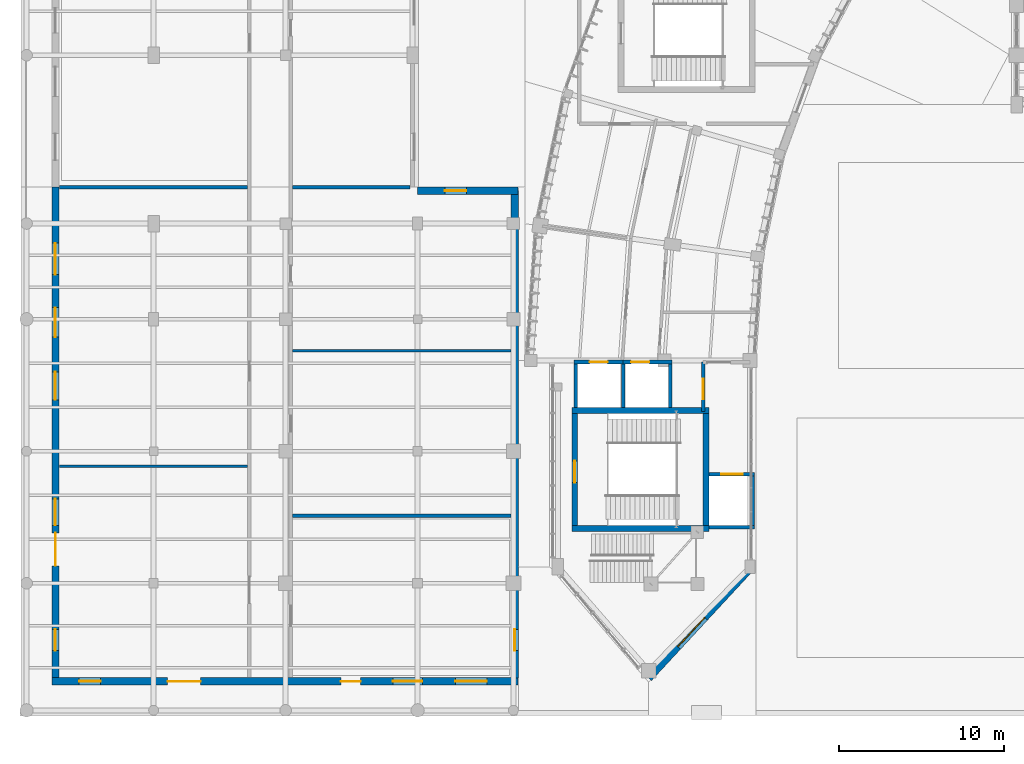
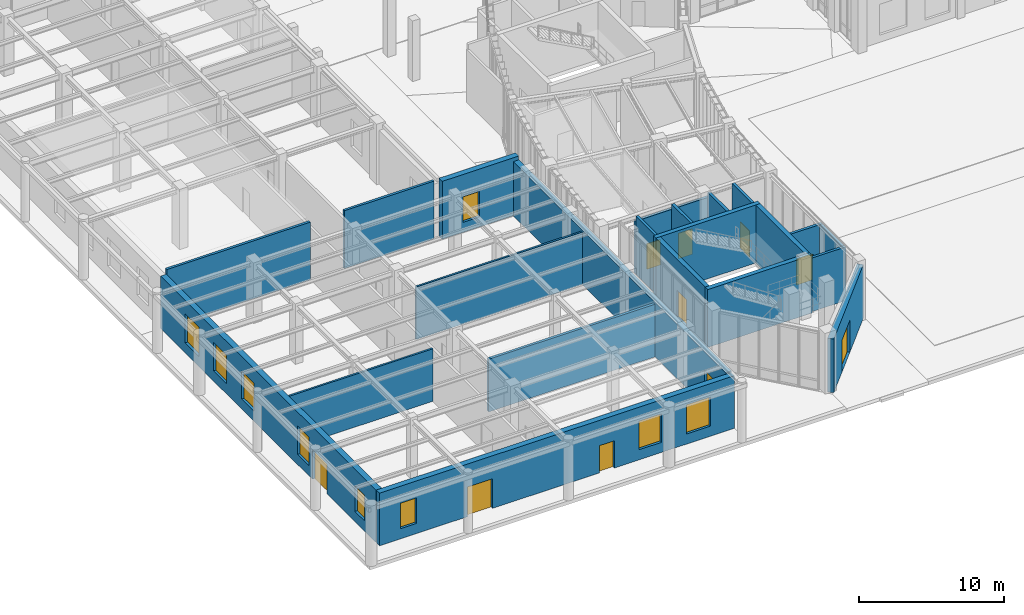
# One storey, part 36 of 68: 23 walls, 10 windows, 9 doors, 19 openings.
"""IFC4 building model written with IfcOpenShell, lengths in metres."""

import ifcopenshell
import ifcopenshell.guid

model = None  # the IFC model being written
_history = None  # IfcOwnerHistory: only IFC2X3 demands one
_inside = {}  # id of a spatial element -> (the spatial element, [elements in it])
_under = {}  # id of a project, library or spatial element -> (it, [spatial elements below it])
_declared = {}  # id of a project -> (the project, [libraries it declares])
_typed = {}  # id of a type object -> (the type object, [elements of that type])
_made_of = {}  # id of a material, layer set ... -> (it, [elements and type objects made of it])


def new_model(schema):
    """Start an empty IFC model of exactly this schema.

    Asked for "IFC4X3", IfcOpenShell would pick the latest addendum, in which some entities
    have other attributes; the version numbers below select the first issue.
    IFC2X3 requires an IfcOwnerHistory on every rooted entity: one is made here for all.
    """
    global model, _history
    if schema == "IFC4X3":
        model = ifcopenshell.file(schema_version=(4, 3, 0, 0))
    else:
        model = ifcopenshell.file(schema=schema)
    _inside.clear()
    _under.clear()
    _declared.clear()
    _typed.clear()
    _made_of.clear()
    _history = None
    if model.schema == "IFC2X3":
        org = make("IfcOrganization", Name="unknown")
        user = make(
            "IfcPersonAndOrganization",
            ThePerson=make("IfcPerson", FamilyName="unknown"),
            TheOrganization=org,
        )
        app = make(
            "IfcApplication",
            ApplicationDeveloper=org,
            Version="unknown",
            ApplicationFullName="unknown",
            ApplicationIdentifier="unknown",
        )
        _history = make(
            "IfcOwnerHistory",
            OwningUser=user,
            OwningApplication=app,
            ChangeAction="ADDED",
            CreationDate=0,
        )
    return model


def make(cls, **values):
    """One entity of the class cls with the attributes given. An attribute that is None is left unset."""
    return model.create_entity(
        cls, **{name: value for name, value in values.items() if value is not None}
    )


def rooted(cls, **values):
    """An entity with a GlobalId (a new one), such as an element, a storey or a relation."""
    return make(cls, GlobalId=ifcopenshell.guid.new(), OwnerHistory=_history, **values)


def si_unit(unit_type, name, prefix=None):
    """IfcSIUnit, for example si_unit("LENGTHUNIT", "METRE", prefix="MILLI")."""
    return make("IfcSIUnit", UnitType=unit_type, Prefix=prefix, Name=name)


def assignment(units):
    """IfcUnitAssignment: the units of a project."""
    return None if units is None else make("IfcUnitAssignment", Units=units)


def point(xyz):
    """IfcCartesianPoint."""
    return None if xyz is None else make("IfcCartesianPoint", Coordinates=xyz)


def direction(xyz):
    """IfcDirection."""
    return None if xyz is None else make("IfcDirection", DirectionRatios=xyz)


def frame(location, z_axis=None, x_axis=None):
    """IfcAxis2Placement3D, a coordinate frame: its origin and axes. An axis left out is left unset."""
    return make(
        "IfcAxis2Placement3D",
        Location=point(location),
        Axis=direction(z_axis),
        RefDirection=direction(x_axis),
    )


def frame_2d(location, x_axis=None):
    """IfcAxis2Placement2D, a coordinate frame in the plane: its origin and x axis."""
    return make(
        "IfcAxis2Placement2D", Location=point(location), RefDirection=direction(x_axis)
    )


def origin():
    """The frame at (0, 0, 0) with its axes left unset."""
    return frame((0.0, 0.0, 0.0))


def place(relative_to, where):
    """IfcLocalPlacement: puts the frame where relative to a parent placement (None: the world)."""
    return make(
        "IfcLocalPlacement", PlacementRelTo=relative_to, RelativePlacement=where
    )


def context(
    kind, dimensions, precision=None, world=None, true_north=None, identifier=None
):
    """IfcGeometricRepresentationContext, for example the 3D "Model" context."""
    return make(
        "IfcGeometricRepresentationContext",
        ContextIdentifier=identifier,
        ContextType=kind,
        CoordinateSpaceDimension=dimensions,
        Precision=precision,
        WorldCoordinateSystem=world,
        TrueNorth=true_north,
    )


def subcontext(parent, identifier, kind, view, scale=None):
    """IfcGeometricRepresentationSubContext, for example "Body" below "Model"."""
    return make(
        "IfcGeometricRepresentationSubContext",
        ContextIdentifier=identifier,
        ContextType=kind,
        ParentContext=parent,
        TargetScale=scale,
        TargetView=view,
    )


def project(units=None, contexts=None):
    """IfcProject with its units and contexts."""
    return rooted(
        "IfcProject",
        Name="project",
        RepresentationContexts=contexts,
        UnitsInContext=assignment(units),
    )


def spatial(cls, under=None, at=None, **own):
    """A site, building, storey or space (cls), placed at a placement, below another one or the project."""
    s = rooted(cls, ObjectPlacement=at, **own)
    if under is not None:
        _under.setdefault(under.id(), (under, []))[1].append(s)
    return s


def profile(cls, at=None, kind="AREA", **sizes):
    """A parametric profile (cls). Its sizes go by their IFC names, for example OverallWidth=200.0."""
    return make(cls, ProfileType=kind, Position=at, **sizes)


def rectangle(**sizes):
    """IfcRectangleProfileDef."""
    return profile("IfcRectangleProfileDef", **sizes)


def extrude(swept, where, along, depth):
    """IfcExtrudedAreaSolid: the profile swept, set in the frame where, extruded along a direction by depth."""
    return make(
        "IfcExtrudedAreaSolid",
        SweptArea=swept,
        Position=where,
        ExtrudedDirection=direction(along),
        Depth=depth,
    )


def shape(context_of_items, identifier, shape_type, items):
    """IfcShapeRepresentation: the items that make up one representation, for example the "Body"."""
    return make(
        "IfcShapeRepresentation",
        ContextOfItems=context_of_items,
        RepresentationIdentifier=identifier,
        RepresentationType=shape_type,
        Items=items,
    )


def material(Name=None, Category=None):
    """IfcMaterial."""
    return make("IfcMaterial", Name=Name, Category=Category)


def layer(
    of_material, thickness, ventilated=None, Name=None, Category=None, Priority=None
):
    """IfcMaterialLayer: one layer of a wall or slab, of a material (None: an air gap)."""
    return make(
        "IfcMaterialLayer",
        Material=of_material,
        LayerThickness=thickness,
        IsVentilated=ventilated,
        Name=Name,
        Category=Category,
        Priority=Priority,
    )


def layer_set(layers, Name=None):
    """IfcMaterialLayerSet."""
    return make("IfcMaterialLayerSet", MaterialLayers=layers, LayerSetName=Name)


def made_of(thing, what):
    """Note that an element or type object is made of a material, layer set ...; save() writes the relation."""
    if what is not None:
        _made_of.setdefault(what.id(), (what, []))[1].append(thing)
    return thing


def type_object(cls, material=None, **own):
    """A type object (cls), such as IfcWallType, which elements share."""
    return made_of(rooted(cls, **own), material)


def element(
    cls,
    number,
    at=None,
    inside=None,
    cuts=None,
    type_object=None,
    material=None,
    context=None,
    identifier="Body",
    shape_type=None,
    held_by="IfcProductDefinitionShape",
    body=None,
    shapes=None,
    **own,
):
    """One element of the class cls, such as IfcWall. Its Tag is "e" and its number.

    at: its placement. inside: the storey or other place that contains it. cuts: it is an
    opening in that element (IfcRelVoidsElement). A single representation is given by context,
    identifier, shape_type and body (its items); several are given by shapes. held_by: the class
    of the entity that holds the representations. save() writes the other relations.
    """
    e = rooted(cls, Tag="e%d" % number, ObjectPlacement=at, **own)
    if body is not None:
        shapes = [shape(context, identifier, shape_type, body)]
    if shapes is not None:
        e.Representation = make(held_by, Representations=shapes)
    if inside is not None:
        _inside.setdefault(inside.id(), (inside, []))[1].append(e)
    if cuts is not None:
        rooted(
            "IfcRelVoidsElement", RelatingBuildingElement=cuts, RelatedOpeningElement=e
        )
    if type_object is not None:
        _typed.setdefault(type_object.id(), (type_object, []))[1].append(e)
    return made_of(e, material)


def fill(opening, filler):
    """IfcRelFillsElement: the door or window that sits in an opening."""
    return rooted(
        "IfcRelFillsElement",
        RelatingOpeningElement=opening,
        RelatedBuildingElement=filler,
    )


def aggregate(whole, parts):
    """IfcRelAggregates: a whole, such as a stair, and the parts it consists of."""
    return rooted("IfcRelAggregates", RelatingObject=whole, RelatedObjects=parts)


def save(model, path):
    """Write the relations noted so far, then the file.

    IfcRelAggregates (storeys below a building ...), IfcRelContainedInSpatialStructure (elements
    in a storey), IfcRelDefinesByType, IfcRelAssociatesMaterial and IfcRelDeclares: one each for
    every whole, place, type object, material and project.
    """
    for whole, parts in _under.values():
        aggregate(whole, parts)
    for where, things in _inside.values():
        rooted(
            "IfcRelContainedInSpatialStructure",
            RelatedElements=things,
            RelatingStructure=where,
        )
    for kind, things in _typed.values():
        rooted("IfcRelDefinesByType", RelatedObjects=things, RelatingType=kind)
    for what, things in _made_of.values():
        rooted("IfcRelAssociatesMaterial", RelatedObjects=things, RelatingMaterial=what)
    for by, libraries in _declared.values():
        rooted("IfcRelDeclares", RelatingContext=by, RelatedDefinitions=libraries)
    model.write(path)


model = new_model("IFC4")

# Units and contexts
model_context = context("Model", 3, precision=1e-05, world=origin(), true_north=direction((0.0, 1.0)))
body_context = subcontext(model_context, "Body", "Model", "MODEL_VIEW")
ifc_project = project(units=[si_unit("LENGTHUNIT", "METRE"), si_unit("AREAUNIT", "SQUARE_METRE"), si_unit("VOLUMEUNIT", "CUBIC_METRE"), si_unit("PLANEANGLEUNIT", "RADIAN"), si_unit("MASSUNIT", "GRAM", prefix="KILO"), si_unit("THERMODYNAMICTEMPERATUREUNIT", "KELVIN"), si_unit("POWERUNIT", "WATT")], contexts=[model_context])

# Site, building, storey
site_placement = place(None, origin())
site = spatial("IfcSite", under=ifc_project, at=site_placement, CompositionType="ELEMENT")
building_placement = place(site_placement, origin())
building = spatial("IfcBuilding", under=site, at=building_placement, Name="Solvatero Civic Police Headquarters", CompositionType="ELEMENT")
storey_placement = place(building_placement, origin())
storey = spatial("IfcBuildingStorey", under=building, at=storey_placement, Name="L00", CompositionType="ELEMENT", Elevation=0.0)

# Wall, openings, doors, windows
ifc_material_1 = material(Name="Grey Sandstone Ashlar", Category="masonry")
ifc_layer_1 = layer(ifc_material_1, 0.449951171875)
ifc_layer_set_1 = layer_set([ifc_layer_1], Name="Grey Sandstone Ashlar")
wall_type_1 = type_object("IfcWallType", Name="WL-EXT-SAND-450", PredefinedType="SOLIDWALL", material=ifc_layer_set_1)
wall_1_placement = place(storey_placement, frame((6.340087890625, 6.550048828125, 0.0), z_axis=(0.0, 0.0, 1.0), x_axis=(1.0, 0.0, 0.0)))
wall_1 = element("IfcWall", 1, at=wall_1_placement, inside=storey, type_object=wall_type_1, Name="Exterior Wall WLE-L00-V4-S", PredefinedType="SOLIDWALL", context=body_context, shape_type="SweptSolid", body=[
    extrude(rectangle(XDim=28.25, YDim=0.449951171875, at=frame_2d((14.125, 0.0))), origin(), (0.0, 0.0, 1.0), 4.427978515625),
])
opening_1_placement = place(wall_1_placement, frame((9.0, 0.0, 0.0), z_axis=(0.0, 0.0, 1.0), x_axis=(-1.0, 0.0, 0.0)))
opening_1 = element("IfcOpeningElement", 2, at=opening_1_placement, cuts=wall_1, Name="Opening ED-05", PredefinedType="OPENING", context=body_context, shape_type="SweptSolid", body=[
    extrude(rectangle(XDim=2.0, YDim=2.5, at=frame_2d((1.0, 1.25))), frame((0.0, 0.23486328125, 0.0), z_axis=(0.0, -1.0, 0.0), x_axis=(1.0, 0.0, 0.0)), (0.0, 0.0, 1.0), 0.469970703125),
])
opening_2_placement = place(wall_1_placement, frame((18.699951171875, 0.0, 0.0), z_axis=(0.0, 0.0, 1.0), x_axis=(-1.0, 0.0, 0.0)))
opening_2 = element("IfcOpeningElement", 3, at=opening_2_placement, cuts=wall_1, Name="Opening ED-03", PredefinedType="OPENING", context=body_context, shape_type="SweptSolid", body=[
    extrude(rectangle(XDim=1.199951171875, YDim=2.300048828125, at=frame_2d((0.60009765625, 1.14990234375))), frame((0.0, 0.23486328125, 0.0), z_axis=(0.0, -1.0, 0.0), x_axis=(1.0, 0.0, 0.0)), (0.0, 0.0, 1.0), 0.469970703125),
])
opening_3_placement = place(wall_1_placement, frame((1.64990234375, 0.0, 0.85009765625)))
opening_3 = element("IfcOpeningElement", 4, at=opening_3_placement, cuts=wall_1, Name="Opening W-13", PredefinedType="OPENING", context=body_context, shape_type="SweptSolid", body=[
    extrude(rectangle(XDim=1.300048828125, YDim=2.14990234375, at=frame_2d((0.64990234375, 1.074951171875))), frame((0.0, 0.23486328125, 0.0), z_axis=(0.0, -1.0, 0.0), x_axis=(1.0, 0.0, 0.0)), (0.0, 0.0, 1.0), 0.469970703125),
])
opening_4_placement = place(wall_1_placement, frame((20.64990234375, 0.0, 0.85009765625)))
opening_4 = element("IfcOpeningElement", 5, at=opening_4_placement, cuts=wall_1, Name="Opening W-05", PredefinedType="OPENING", context=body_context, shape_type="SweptSolid", body=[
    extrude(rectangle(XDim=1.800048828125, YDim=2.39990234375, at=frame_2d((0.89990234375, 1.199951171875))), frame((0.0, 0.23486328125, 0.0), z_axis=(0.0, -1.0, 0.0), x_axis=(1.0, 0.0, 0.0)), (0.0, 0.0, 1.0), 0.469970703125),
])
opening_5_placement = place(wall_1_placement, frame((24.449951171875, 0.0, 0.85009765625)))
opening_5 = element("IfcOpeningElement", 6, at=opening_5_placement, cuts=wall_1, Name="Opening W-15", PredefinedType="OPENING", context=body_context, shape_type="SweptSolid", body=[
    extrude(rectangle(XDim=1.89990234375, YDim=2.449951171875, at=frame_2d((0.949951171875, 1.22509765625))), frame((0.0, 0.23486328125, 0.0), z_axis=(0.0, -1.0, 0.0), x_axis=(1.0, 0.0, 0.0)), (0.0, 0.0, 1.0), 0.469970703125),
])
ifc_material_2 = material(Name="Anodized Bronze Aluminium and Laminated Glass", Category="aluminium")
door_type_1 = type_object("IfcDoorType", Name="DR-EXT-120x230", OperationType="NOTDEFINED", PredefinedType="DOOR", material=ifc_material_2)
door_1_placement = place(opening_2_placement, origin())
door_1 = element("IfcDoor", 7, at=door_1_placement, inside=storey, type_object=door_type_1, Name="Exterior Door DR-L00-V4-FIRECMD", OperationType="SINGLE_SWING_RIGHT", OverallHeight=2.300048828125, OverallWidth=1.199951171875, PredefinedType="DOOR", context=body_context, shape_type="SweptSolid", body=[
    extrude(rectangle(XDim=1.199951171875, YDim=2.300048828125, at=frame_2d((0.60009765625, 1.14990234375))), frame((0.0, 0.02490234375, 0.0), z_axis=(0.0, -1.0, 0.0), x_axis=(1.0, 0.0, 0.0)), (0.0, 0.0, 1.0), 0.050048828125),
])
fill(opening_2, door_1)
door_type_2 = type_object("IfcDoorType", Name="DR-EXT-200x250", OperationType="DOUBLE_DOOR_SINGLE_SWING", PredefinedType="DOOR", material=ifc_material_2)
door_2_placement = place(opening_1_placement, origin())
door_2 = element("IfcDoor", 8, at=door_2_placement, inside=storey, type_object=door_type_2, Name="Exterior Door DR-L00-V4-ENT1", OperationType="DOUBLE_DOOR_SINGLE_SWING", OverallHeight=2.5, OverallWidth=2.0, PredefinedType="DOOR", context=body_context, shape_type="SweptSolid", body=[
    extrude(rectangle(XDim=2.0, YDim=2.5, at=frame_2d((1.0, 1.25))), frame((0.0, 0.02490234375, 0.0), z_axis=(0.0, -1.0, 0.0), x_axis=(1.0, 0.0, 0.0)), (0.0, 0.0, 1.0), 0.050048828125),
])
fill(opening_1, door_2)
ifc_material_3 = material(Name="Anodized Bronze Aluminium", Category="aluminium")
window_type_1 = type_object("IfcWindowType", Name="WN-CL-130x215", PartitioningType="SINGLE_PANEL", PredefinedType="WINDOW", material=ifc_material_3)
window_1_placement = place(opening_3_placement, origin())
window_1 = element("IfcWindow", 9, at=window_1_placement, inside=storey, type_object=window_type_1, Name="Exterior Window 0001", OverallHeight=2.14990234375, OverallWidth=1.300048828125, PartitioningType="SINGLE_PANEL", PredefinedType="WINDOW", context=body_context, shape_type="SweptSolid", body=[
    extrude(rectangle(XDim=1.300048828125, YDim=2.14990234375, at=frame_2d((0.64990234375, 1.074951171875))), frame((0.0, 0.030029296875, 0.0), z_axis=(0.0, -1.0, 0.0), x_axis=(1.0, 0.0, 0.0)), (0.0, 0.0, 1.0), 0.06005859375),
])
fill(opening_3, window_1)
window_type_2 = type_object("IfcWindowType", Name="WN-CL-180x240", PartitioningType="SINGLE_PANEL", PredefinedType="WINDOW", material=ifc_material_3)
window_2_placement = place(opening_4_placement, origin())
window_2 = element("IfcWindow", 10, at=window_2_placement, inside=storey, type_object=window_type_2, Name="Exterior Window 0002", OverallHeight=2.39990234375, OverallWidth=1.800048828125, PartitioningType="SINGLE_PANEL", PredefinedType="WINDOW", context=body_context, shape_type="SweptSolid", body=[
    extrude(rectangle(XDim=1.800048828125, YDim=2.39990234375, at=frame_2d((0.89990234375, 1.199951171875))), frame((0.0, 0.030029296875, 0.0), z_axis=(0.0, -1.0, 0.0), x_axis=(1.0, 0.0, 0.0)), (0.0, 0.0, 1.0), 0.06005859375),
])
fill(opening_4, window_2)
window_type_3 = type_object("IfcWindowType", Name="WN-CL-190x245", PartitioningType="SINGLE_PANEL", PredefinedType="WINDOW", material=ifc_material_3)
window_3_placement = place(opening_5_placement, origin())
window_3 = element("IfcWindow", 11, at=window_3_placement, inside=storey, type_object=window_type_3, Name="Exterior Window 0003", OverallHeight=2.449951171875, OverallWidth=1.89990234375, PartitioningType="SINGLE_PANEL", PredefinedType="WINDOW", context=body_context, shape_type="SweptSolid", body=[
    extrude(rectangle(XDim=1.89990234375, YDim=2.449951171875, at=frame_2d((0.949951171875, 1.22509765625))), frame((0.0, 0.030029296875, 0.0), z_axis=(0.0, -1.0, 0.0), x_axis=(1.0, 0.0, 0.0)), (0.0, 0.0, 1.0), 0.06005859375),
])
fill(opening_5, window_3)

# Wall, openings, door, windows
wall_2_placement = place(storey_placement, frame((6.550048828125, 6.760009765625, 0.0), z_axis=(0.0, 0.0, 1.0), x_axis=(0.0, 1.0, 0.0)))
wall_2 = element("IfcWall", 12, at=wall_2_placement, inside=storey, type_object=wall_type_1, Name="Exterior Wall WLE-L00-V4-W", PredefinedType="SOLIDWALL", context=body_context, shape_type="SweptSolid", body=[
    extrude(rectangle(XDim=29.739990234375, YDim=0.449951171875, at=frame_2d((14.8701171875, 0.0))), origin(), (0.0, 0.0, 1.0), 4.41796875),
])
opening_6_placement = place(wall_2_placement, frame((6.800048828125, 0.0, 0.0)))
opening_6 = element("IfcOpeningElement", 13, at=opening_6_placement, cuts=wall_2, Name="Opening ED-05", PredefinedType="OPENING", context=body_context, shape_type="SweptSolid", body=[
    extrude(rectangle(XDim=2.0, YDim=2.5, at=frame_2d((1.0, 1.25))), frame((0.0, 0.23486328125, 0.0), z_axis=(0.0, -1.0, 0.0), x_axis=(1.0, 0.0, 0.0)), (0.0, 0.0, 1.0), 0.469970703125),
])
opening_7_placement = place(wall_2_placement, frame((1.64990234375, 0.0, 0.85009765625)))
opening_7 = element("IfcOpeningElement", 14, at=opening_7_placement, cuts=wall_2, Name="Opening W-13", PredefinedType="OPENING", context=body_context, shape_type="SweptSolid", body=[
    extrude(rectangle(XDim=1.300048828125, YDim=2.14990234375, at=frame_2d((0.64990234375, 1.074951171875))), frame((0.0, 0.23486328125, 0.0), z_axis=(0.0, -1.0, 0.0), x_axis=(1.0, 0.0, 0.0)), (0.0, 0.0, 1.0), 0.469970703125),
])
opening_8_placement = place(wall_2_placement, frame((9.25, 0.0, 0.85009765625)))
opening_8 = element("IfcOpeningElement", 15, at=opening_8_placement, cuts=wall_2, Name="Opening W-04", PredefinedType="OPENING", context=body_context, shape_type="SweptSolid", body=[
    extrude(rectangle(XDim=1.60009765625, YDim=2.39990234375, at=frame_2d((0.800048828125, 1.199951171875))), frame((0.0, 0.23486328125, 0.0), z_axis=(0.0, -1.0, 0.0), x_axis=(1.0, 0.0, 0.0)), (0.0, 0.0, 1.0), 0.469970703125),
])
opening_9_placement = place(wall_2_placement, frame((16.85009765625, 0.0, 0.85009765625)))
opening_9 = element("IfcOpeningElement", 16, at=opening_9_placement, cuts=wall_2, Name="Opening W-14", PredefinedType="OPENING", context=body_context, shape_type="SweptSolid", body=[
    extrude(rectangle(XDim=1.699951171875, YDim=2.35009765625, at=frame_2d((0.85009765625, 1.175048828125))), frame((0.0, 0.23486328125, 0.0), z_axis=(0.0, -1.0, 0.0), x_axis=(1.0, 0.0, 0.0)), (0.0, 0.0, 1.0), 0.469970703125),
])
opening_10_placement = place(wall_2_placement, frame((20.64990234375, 0.0, 0.85009765625)))
opening_10 = element("IfcOpeningElement", 17, at=opening_10_placement, cuts=wall_2, Name="Opening W-05", PredefinedType="OPENING", context=body_context, shape_type="SweptSolid", body=[
    extrude(rectangle(XDim=1.800048828125, YDim=2.39990234375, at=frame_2d((0.89990234375, 1.199951171875))), frame((0.0, 0.23486328125, 0.0), z_axis=(0.0, -1.0, 0.0), x_axis=(1.0, 0.0, 0.0)), (0.0, 0.0, 1.0), 0.469970703125),
])
opening_11_placement = place(wall_2_placement, frame((24.449951171875, 0.0, 0.85009765625)))
opening_11 = element("IfcOpeningElement", 18, at=opening_11_placement, cuts=wall_2, Name="Opening W-15", PredefinedType="OPENING", context=body_context, shape_type="SweptSolid", body=[
    extrude(rectangle(XDim=1.89990234375, YDim=2.449951171875, at=frame_2d((0.949951171875, 1.22509765625))), frame((0.0, 0.23486328125, 0.0), z_axis=(0.0, -1.0, 0.0), x_axis=(1.0, 0.0, 0.0)), (0.0, 0.0, 1.0), 0.469970703125),
])
door_3_placement = place(opening_6_placement, origin())
door_3 = element("IfcDoor", 19, at=door_3_placement, inside=storey, type_object=door_type_2, Name="Exterior Door DR-L00-V4-ENTW", OperationType="DOUBLE_DOOR_SINGLE_SWING", OverallHeight=2.5, OverallWidth=2.0, PredefinedType="DOOR", context=body_context, shape_type="SweptSolid", body=[
    extrude(rectangle(XDim=2.0, YDim=2.5, at=frame_2d((1.0, 1.25))), frame((0.0, 0.02490234375, 0.0), z_axis=(0.0, -1.0, 0.0), x_axis=(1.0, 0.0, 0.0)), (0.0, 0.0, 1.0), 0.050048828125),
])
fill(opening_6, door_3)
window_4_placement = place(opening_7_placement, origin())
window_4 = element("IfcWindow", 20, at=window_4_placement, inside=storey, type_object=window_type_1, Name="Exterior Window 0004", OverallHeight=2.14990234375, OverallWidth=1.300048828125, PartitioningType="SINGLE_PANEL", PredefinedType="WINDOW", context=body_context, shape_type="SweptSolid", body=[
    extrude(rectangle(XDim=1.300048828125, YDim=2.14990234375, at=frame_2d((0.64990234375, 1.074951171875))), frame((0.0, 0.030029296875, 0.0), z_axis=(0.0, -1.0, 0.0), x_axis=(1.0, 0.0, 0.0)), (0.0, 0.0, 1.0), 0.06005859375),
])
fill(opening_7, window_4)
window_type_4 = type_object("IfcWindowType", Name="WN-CL-160x240", PartitioningType="SINGLE_PANEL", PredefinedType="WINDOW", material=ifc_material_3)
window_5_placement = place(opening_8_placement, origin())
window_5 = element("IfcWindow", 21, at=window_5_placement, inside=storey, type_object=window_type_4, Name="Exterior Window 0005", OverallHeight=2.39990234375, OverallWidth=1.60009765625, PartitioningType="SINGLE_PANEL", PredefinedType="WINDOW", context=body_context, shape_type="SweptSolid", body=[
    extrude(rectangle(XDim=1.60009765625, YDim=2.39990234375, at=frame_2d((0.800048828125, 1.199951171875))), frame((0.0, 0.030029296875, 0.0), z_axis=(0.0, -1.0, 0.0), x_axis=(1.0, 0.0, 0.0)), (0.0, 0.0, 1.0), 0.06005859375),
])
fill(opening_8, window_5)
window_type_5 = type_object("IfcWindowType", Name="WN-CL-170x235", PartitioningType="SINGLE_PANEL", PredefinedType="WINDOW", material=ifc_material_3)
window_6_placement = place(opening_9_placement, origin())
window_6 = element("IfcWindow", 22, at=window_6_placement, inside=storey, type_object=window_type_5, Name="Exterior Window 0006", OverallHeight=2.35009765625, OverallWidth=1.699951171875, PartitioningType="SINGLE_PANEL", PredefinedType="WINDOW", context=body_context, shape_type="SweptSolid", body=[
    extrude(rectangle(XDim=1.699951171875, YDim=2.35009765625, at=frame_2d((0.85009765625, 1.175048828125))), frame((0.0, 0.030029296875, 0.0), z_axis=(0.0, -1.0, 0.0), x_axis=(1.0, 0.0, 0.0)), (0.0, 0.0, 1.0), 0.06005859375),
])
fill(opening_9, window_6)
window_7_placement = place(opening_10_placement, origin())
window_7 = element("IfcWindow", 23, at=window_7_placement, inside=storey, type_object=window_type_2, Name="Exterior Window 0007", OverallHeight=2.39990234375, OverallWidth=1.800048828125, PartitioningType="SINGLE_PANEL", PredefinedType="WINDOW", context=body_context, shape_type="SweptSolid", body=[
    extrude(rectangle(XDim=1.800048828125, YDim=2.39990234375, at=frame_2d((0.89990234375, 1.199951171875))), frame((0.0, 0.030029296875, 0.0), z_axis=(0.0, -1.0, 0.0), x_axis=(1.0, 0.0, 0.0)), (0.0, 0.0, 1.0), 0.06005859375),
])
fill(opening_10, window_7)
window_8_placement = place(opening_11_placement, origin())
window_8 = element("IfcWindow", 24, at=window_8_placement, inside=storey, type_object=window_type_3, Name="Exterior Window 0008", OverallHeight=2.449951171875, OverallWidth=1.89990234375, PartitioningType="SINGLE_PANEL", PredefinedType="WINDOW", context=body_context, shape_type="SweptSolid", body=[
    extrude(rectangle(XDim=1.89990234375, YDim=2.449951171875, at=frame_2d((0.949951171875, 1.22509765625))), frame((0.0, 0.030029296875, 0.0), z_axis=(0.0, -1.0, 0.0), x_axis=(1.0, 0.0, 0.0)), (0.0, 0.0, 1.0), 0.06005859375),
])
fill(opening_11, window_8)

# Wall, opening, window
wall_3_placement = place(storey_placement, frame((34.3798828125, 6.760009765625, 0.0), z_axis=(0.0, 0.0, 1.0), x_axis=(0.0, 1.0, 0.0)))
wall_3 = element("IfcWall", 25, at=wall_3_placement, inside=storey, type_object=wall_type_1, Name="Exterior Wall WLE-L00-V4-E", PredefinedType="SOLIDWALL", context=body_context, shape_type="SweptSolid", body=[
    extrude(rectangle(XDim=29.530029296875, YDim=0.449951171875, at=frame_2d((14.76513671875, 0.0))), origin(), (0.0, 0.0, 1.0), 4.56005859375),
])
opening_12_placement = place(wall_3_placement, frame((1.64990234375, 0.0, 0.85009765625)))
opening_12 = element("IfcOpeningElement", 26, at=opening_12_placement, cuts=wall_3, Name="Opening W-13", PredefinedType="OPENING", context=body_context, shape_type="SweptSolid", body=[
    extrude(rectangle(XDim=1.300048828125, YDim=2.14990234375, at=frame_2d((0.64990234375, 1.074951171875))), frame((0.0, 0.23486328125, 0.0), z_axis=(0.0, -1.0, 0.0), x_axis=(1.0, 0.0, 0.0)), (0.0, 0.0, 1.0), 0.469970703125),
])
window_9_placement = place(opening_12_placement, origin())
window_9 = element("IfcWindow", 27, at=window_9_placement, inside=storey, type_object=window_type_1, Name="Exterior Window 0009", OverallHeight=2.14990234375, OverallWidth=1.300048828125, PartitioningType="SINGLE_PANEL", PredefinedType="WINDOW", context=body_context, shape_type="SweptSolid", body=[
    extrude(rectangle(XDim=1.300048828125, YDim=2.14990234375, at=frame_2d((0.64990234375, 1.074951171875))), frame((0.0, 0.030029296875, 0.0), z_axis=(0.0, -1.0, 0.0), x_axis=(1.0, 0.0, 0.0)), (0.0, 0.0, 1.0), 0.06005859375),
])
fill(opening_12, window_9)

wall_4_placement = place(storey_placement, frame((28.5, 36.2900390625, 0.0), z_axis=(0.0, 0.0, 1.0), x_axis=(1.0, 0.0, 0.0)))
wall_4 = element("IfcWall", 28, at=wall_4_placement, inside=storey, type_object=wall_type_1, Name="Exterior Wall WLE-L00-V4-N", PredefinedType="SOLIDWALL", context=body_context, shape_type="SweptSolid", body=[
    extrude(rectangle(XDim=6.090087890625, YDim=0.449951171875, at=frame_2d((3.044921875, 0.0))), origin(), (0.0, 0.0, 1.0), 4.8798828125),
])
opening_13_placement = place(wall_4_placement, frame((1.64990234375, 0.0, 0.85009765625)))
opening_13 = element("IfcOpeningElement", 29, at=opening_13_placement, cuts=wall_4, Name="Opening W-13", PredefinedType="OPENING", context=body_context, shape_type="SweptSolid", body=[
    extrude(rectangle(XDim=1.300048828125, YDim=2.14990234375, at=frame_2d((0.64990234375, 1.074951171875))), frame((0.0, 0.23486328125, 0.0), z_axis=(0.0, -1.0, 0.0), x_axis=(1.0, 0.0, 0.0)), (0.0, 0.0, 1.0), 0.469970703125),
])
window_10_placement = place(opening_13_placement, origin())
window_10 = element("IfcWindow", 30, at=window_10_placement, inside=storey, type_object=window_type_1, Name="Exterior Window 0010", OverallHeight=2.14990234375, OverallWidth=1.300048828125, PartitioningType="SINGLE_PANEL", PredefinedType="WINDOW", context=body_context, shape_type="SweptSolid", body=[
    extrude(rectangle(XDim=1.300048828125, YDim=2.14990234375, at=frame_2d((0.64990234375, 1.074951171875))), frame((0.0, 0.030029296875, 0.0), z_axis=(0.0, -1.0, 0.0), x_axis=(1.0, 0.0, 0.0)), (0.0, 0.0, 1.0), 0.06005859375),
])
fill(opening_13, window_10)

# Wall, opening, door
wall_5_placement = place(storey_placement, frame((42.5, 6.75, 0.0), z_axis=(0.0, 0.0, 1.0), x_axis=(0.679408031498, 0.733760674018, 0.0)))
wall_5 = element("IfcWall", 31, at=wall_5_placement, inside=storey, type_object=wall_type_1, Name="Exterior Wall WLE-L00-PROW-SE", PredefinedType="SOLIDWALL", context=body_context, shape_type="SweptSolid", body=[
    extrude(rectangle(XDim=9.19921875, YDim=0.449951171875, at=frame_2d((4.599609375, 0.0))), origin(), (0.0, 0.0, 1.0), 4.52001953125),
])
opening_14_placement = place(wall_5_placement, frame((5.0, 0.0, 0.0), z_axis=(0.0, 0.0, 1.0), x_axis=(-1.0, 0.0, 0.0)))
opening_14 = element("IfcOpeningElement", 32, at=opening_14_placement, cuts=wall_5, Name="Opening ED-06", PredefinedType="OPENING", context=body_context, shape_type="SweptSolid", body=[
    extrude(rectangle(XDim=2.39990234375, YDim=2.699951171875, at=frame_2d((1.199951171875, 1.35009765625))), frame((0.0, 0.23486328125, 0.0), z_axis=(0.0, -1.0, 0.0), x_axis=(1.0, 0.0, 0.0)), (0.0, 0.0, 1.0), 0.469970703125),
])
door_type_3 = type_object("IfcDoorType", Name="DR-EXT-240x270", OperationType="DOUBLE_DOOR_SINGLE_SWING", PredefinedType="DOOR", material=ifc_material_2)
door_4_placement = place(opening_14_placement, origin())
door_4 = element("IfcDoor", 33, at=door_4_placement, inside=storey, type_object=door_type_3, Name="Exterior Door DR-L00-PROW-SE", OperationType="DOUBLE_DOOR_SINGLE_SWING", OverallHeight=2.699951171875, OverallWidth=2.39990234375, PredefinedType="DOOR", context=body_context, shape_type="SweptSolid", body=[
    extrude(rectangle(XDim=2.39990234375, YDim=2.699951171875, at=frame_2d((1.199951171875, 1.35009765625))), frame((0.0, 0.02490234375, 0.0), z_axis=(0.0, -1.0, 0.0), x_axis=(1.0, 0.0, 0.0)), (0.0, 0.0, 1.0), 0.050048828125),
])
fill(opening_14, door_4)

# Walls
ifc_material_4 = material(Name="Gypsum Acoustic Stud", Category="gypsum")
ifc_layer_2 = layer(ifc_material_4, 0.14990234375)
ifc_layer_set_2 = layer_set([ifc_layer_2], Name="Gypsum Acoustic Stud")
wall_type_2 = type_object("IfcWallType", Name="WL-PTN-150", PredefinedType="PARTITIONING", material=ifc_layer_set_2)
wall_6_placement = place(storey_placement, frame((6.780029296875, 19.60009765625, 0.0), z_axis=(0.0, 0.0, 1.0), x_axis=(1.0, 0.0, 0.0)))
element("IfcWall", 34, at=wall_6_placement, inside=storey, type_object=wall_type_2, Name="Interior Partition WLP-L00-V4-H1", PredefinedType="PARTITIONING", context=body_context, shape_type="SweptSolid", body=[
    extrude(rectangle(XDim=11.419921875, YDim=0.14990234375, at=frame_2d((5.7099609375, 0.0))), origin(), (0.0, 0.0, 1.0), 4.427978515625),
])
wall_7_placement = place(storey_placement, frame((20.89990234375, 26.60009765625, 0.0), z_axis=(0.0, 0.0, 1.0), x_axis=(1.0, 0.0, 0.0)))
element("IfcWall", 35, at=wall_7_placement, inside=storey, type_object=wall_type_2, Name="Interior Partition WLP-L00-V4-H3", PredefinedType="PARTITIONING", context=body_context, shape_type="SweptSolid", body=[
    extrude(rectangle(XDim=13.25, YDim=0.14990234375, at=frame_2d((6.625, 0.0))), origin(), (0.0, 0.0, 1.0), 4.427978515625),
])

# Wall, opening, door
ifc_material_5 = material(Name="Concrete Blockwork", Category="masonry")
ifc_layer_3 = layer(ifc_material_5, 0.199951171875)
ifc_layer_set_3 = layer_set([ifc_layer_3], Name="Concrete Blockwork")
wall_type_3 = type_object("IfcWallType", Name="WL-PTN-200", PredefinedType="PARTITIONING", material=ifc_layer_set_3)
wall_8_placement = place(storey_placement, frame((45.800048828125, 22.89990234375, 0.0), z_axis=(0.0, 0.0, 1.0), x_axis=(0.0, 1.0, 0.0)))
wall_8 = element("IfcWall", 36, at=wall_8_placement, inside=storey, type_object=wall_type_3, Name="Interior Partition WLP-FFL-C1-L00-W", PredefinedType="PARTITIONING", context=body_context, shape_type="SweptSolid", body=[
    extrude(rectangle(XDim=3.0, YDim=0.199951171875, at=frame_2d((1.5, 0.0))), origin(), (0.0, 0.0, 1.0), 4.860107421875),
])
opening_15_placement = place(wall_8_placement, frame((0.75, 0.0, 0.0)))
opening_15 = element("IfcOpeningElement", 37, at=opening_15_placement, cuts=wall_8, Name="Opening FD-01", PredefinedType="OPENING", context=body_context, shape_type="SweptSolid", body=[
    extrude(rectangle(XDim=1.25, YDim=2.199951171875, at=frame_2d((0.625, 1.10009765625))), frame((0.0, 0.10986328125, 0.0), z_axis=(0.0, -1.0, 0.0), x_axis=(1.0, 0.0, 0.0)), (0.0, 0.0, 1.0), 0.219970703125),
])
ifc_material_6 = material(Name="Powder-Coated Steel", Category="steel")
door_type_4 = type_object("IfcDoorType", Name="DR-STR-125x220", OperationType="NOTDEFINED", PredefinedType="DOOR", material=ifc_material_6)
door_5_placement = place(opening_15_placement, origin())
door_5 = element("IfcDoor", 38, at=door_5_placement, inside=storey, type_object=door_type_4, Name="Interior Door DR-FFL-C1-L00-W", OperationType="SINGLE_SWING_LEFT", OverallHeight=2.199951171875, OverallWidth=1.25, PredefinedType="DOOR", context=body_context, shape_type="SweptSolid", body=[
    extrude(rectangle(XDim=1.25, YDim=2.199951171875, at=frame_2d((0.625, 1.10009765625))), frame((0.0, 0.02490234375, 0.0), z_axis=(0.0, -1.0, 0.0), x_axis=(1.0, 0.0, 0.0)), (0.0, 0.0, 1.0), 0.050048828125),
])
fill(opening_15, door_5)

# Walls
wall_9_placement = place(storey_placement, frame((20.89990234375, 16.60009765625, 0.0), z_axis=(0.0, 0.0, 1.0), x_axis=(1.0, 0.0, 0.0)))
element("IfcWall", 39, at=wall_9_placement, inside=storey, type_object=wall_type_3, Name="Interior Partition WLP-L00-FCMD-N", PredefinedType="PARTITIONING", context=body_context, shape_type="SweptSolid", body=[
    extrude(rectangle(XDim=13.25, YDim=0.199951171875, at=frame_2d((6.625, 0.0))), origin(), (0.0, 0.0, 1.0), 4.427978515625),
])
wall_10_placement = place(storey_placement, frame((6.780029296875, 36.5, 0.0), z_axis=(0.0, 0.0, 1.0), x_axis=(1.0, 0.0, 0.0)))
element("IfcWall", 40, at=wall_10_placement, inside=storey, type_object=wall_type_3, Name="Interior Partition WLP-L00-V46-DIVW", PredefinedType="PARTITIONING", context=body_context, shape_type="SweptSolid", body=[
    extrude(rectangle(XDim=11.419921875, YDim=0.199951171875, at=frame_2d((5.7099609375, 0.0))), origin(), (0.0, 0.0, 1.0), 4.860107421875),
])
wall_11_placement = place(storey_placement, frame((20.89990234375, 36.5, 0.0), z_axis=(0.0, 0.0, 1.0), x_axis=(1.0, 0.0, 0.0)))
element("IfcWall", 41, at=wall_11_placement, inside=storey, type_object=wall_type_3, Name="Interior Partition WLP-L00-V46-DIVE", PredefinedType="PARTITIONING", context=body_context, shape_type="SweptSolid", body=[
    extrude(rectangle(XDim=7.150146484375, YDim=0.199951171875, at=frame_2d((3.5751953125, 0.0))), origin(), (0.0, 0.0, 1.0), 4.860107421875),
])
ifc_material_7 = material(Name="Concrete C35/45", Category="concrete")
ifc_layer_4 = layer(ifc_material_7, 0.219970703125)
ifc_layer_set_4 = layer_set([ifc_layer_4], Name="Concrete C35/45")
wall_type_4 = type_object("IfcWallType", Name="WL-SHF-220", PredefinedType="PARTITIONING", material=ifc_layer_set_4)
wall_12_placement = place(storey_placement, frame((46.159912109375, 15.889892578125, 0.0), z_axis=(0.0, 0.0, 1.0), x_axis=(1.0, 0.0, 0.0)))
element("IfcWall", 42, at=wall_12_placement, inside=storey, type_object=wall_type_4, Name="Lift Shaft Wall WLS-FL-01-L00-S", PredefinedType="PARTITIONING", context=body_context, shape_type="SweptSolid", body=[
    extrude(rectangle(XDim=2.760009765625, YDim=0.219970703125, at=frame_2d((1.3798828125, 0.0))), origin(), (0.0, 0.0, 1.0), 4.51806640625),
])

# Wall, opening, door
wall_13_placement = place(storey_placement, frame((46.159912109375, 19.110107421875, 0.0), z_axis=(0.0, 0.0, 1.0), x_axis=(1.0, 0.0, 0.0)))
wall_13 = element("IfcWall", 43, at=wall_13_placement, inside=storey, type_object=wall_type_4, Name="Lift Shaft Wall WLS-FL-01-L00-N", PredefinedType="PARTITIONING", context=body_context, shape_type="SweptSolid", body=[
    extrude(rectangle(XDim=2.760009765625, YDim=0.219970703125, at=frame_2d((1.3798828125, 0.0))), origin(), (0.0, 0.0, 1.0), 4.51806640625),
])
opening_16_placement = place(wall_13_placement, frame((0.72998046875, 0.0, 0.0)))
opening_16 = element("IfcOpeningElement", 44, at=opening_16_placement, cuts=wall_13, Name="Opening LD-02", PredefinedType="OPENING", context=body_context, shape_type="SweptSolid", body=[
    extrude(rectangle(XDim=1.300048828125, YDim=2.199951171875, at=frame_2d((0.64990234375, 1.10009765625))), frame((0.0, 0.119873046875, 0.0), z_axis=(0.0, -1.0, 0.0), x_axis=(1.0, 0.0, 0.0)), (0.0, 0.0, 1.0), 0.239990234375),
])
ifc_material_8 = material(Name="Stainless Steel Grade 316", Category="steel")
door_type_5 = type_object("IfcDoorType", Name="DR-LFT-130x220", OperationType="DOUBLE_DOOR_SLIDING", PredefinedType="DOOR", material=ifc_material_8)
door_6_placement = place(opening_16_placement, origin())
door_6 = element("IfcDoor", 45, at=door_6_placement, inside=storey, type_object=door_type_5, Name="Interior Door DR-LFT-FL-01-L00", OperationType="DOUBLE_DOOR_SLIDING", OverallHeight=2.199951171875, OverallWidth=1.300048828125, PredefinedType="DOOR", context=body_context, shape_type="SweptSolid", body=[
    extrude(rectangle(XDim=1.300048828125, YDim=2.199951171875, at=frame_2d((0.64990234375, 1.10009765625))), frame((0.0, 0.02490234375, 0.0), z_axis=(0.0, -1.0, 0.0), x_axis=(1.0, 0.0, 0.0)), (0.0, 0.0, 1.0), 0.050048828125),
])
fill(opening_16, door_6)

# Wall
wall_14_placement = place(storey_placement, frame((48.81005859375, 16.0, 0.0), z_axis=(0.0, 0.0, 1.0), x_axis=(0.0, 1.0, 0.0)))
element("IfcWall", 46, at=wall_14_placement, inside=storey, type_object=wall_type_4, Name="Lift Shaft Wall WLS-FL-01-L00-E", PredefinedType="PARTITIONING", context=body_context, shape_type="SweptSolid", body=[
    extrude(rectangle(XDim=3.0, YDim=0.219970703125, at=frame_2d((1.5, 0.0))), origin(), (0.0, 0.0, 1.0), 4.52001953125),
])

# Wall, opening, door
wall_15_placement = place(storey_placement, frame((37.97998046875, 25.909912109375, 0.0), z_axis=(0.0, 0.0, 1.0), x_axis=(1.0, 0.0, 0.0)))
wall_15 = element("IfcWall", 47, at=wall_15_placement, inside=storey, type_object=wall_type_4, Name="Lift Shaft Wall WLS-LP-01-L00-N", PredefinedType="PARTITIONING", context=body_context, shape_type="SweptSolid", body=[
    extrude(rectangle(XDim=2.969970703125, YDim=0.219970703125, at=frame_2d((1.48486328125, 0.0))), origin(), (0.0, 0.0, 1.0), 4.429931640625),
])
opening_17_placement = place(wall_15_placement, frame((0.93505859375, 0.0, 0.0)))
opening_17 = element("IfcOpeningElement", 48, at=opening_17_placement, cuts=wall_15, Name="Opening LD-01", PredefinedType="OPENING", context=body_context, shape_type="SweptSolid", body=[
    extrude(rectangle(XDim=1.10009765625, YDim=2.14990234375, at=frame_2d((0.550048828125, 1.074951171875))), frame((0.0, 0.119873046875, 0.0), z_axis=(0.0, -1.0, 0.0), x_axis=(1.0, 0.0, 0.0)), (0.0, 0.0, 1.0), 0.239990234375),
])
door_type_6 = type_object("IfcDoorType", Name="DR-LFT-110x215", OperationType="DOUBLE_DOOR_SLIDING", PredefinedType="DOOR", material=ifc_material_8)
door_7_placement = place(opening_17_placement, origin())
door_7 = element("IfcDoor", 49, at=door_7_placement, inside=storey, type_object=door_type_6, Name="Interior Door DR-LFT-LP-01-L00", OperationType="DOUBLE_DOOR_SLIDING", OverallHeight=2.14990234375, OverallWidth=1.10009765625, PredefinedType="DOOR", context=body_context, shape_type="SweptSolid", body=[
    extrude(rectangle(XDim=1.10009765625, YDim=2.14990234375, at=frame_2d((0.550048828125, 1.074951171875))), frame((0.0, 0.02490234375, 0.0), z_axis=(0.0, -1.0, 0.0), x_axis=(1.0, 0.0, 0.0)), (0.0, 0.0, 1.0), 0.050048828125),
])
fill(opening_17, door_7)

# Walls
for number, where, z_axis, x_axis, name in (
    (50, (38.090087890625, 23.159912109375, 0.0), (0.0, 0.0, 1.0), (0.0, 1.0, 0.0), "Lift Shaft Wall WLS-LP-01-L00-W"),
    (51, (40.949951171875, 23.159912109375, 0.0), (0.0, 0.0, 1.0), (0.0, 1.0, 0.0), "Lift Shaft Wall WLS-LP-01-L00-E"),
):
    element("IfcWall", number, at=place(storey_placement, frame(where, z_axis=z_axis, x_axis=x_axis)), inside=storey, type_object=wall_type_4, Name=name, PredefinedType="PARTITIONING", context=body_context, shape_type="SweptSolid", body=[
        extrude(rectangle(XDim=2.64013671875, YDim=0.219970703125, at=frame_2d((1.320068359375, 0.0))), origin(), (0.0, 0.0, 1.0), 4.860107421875),
    ])

# Wall, opening, door
wall_16_placement = place(storey_placement, frame((40.949951171875, 25.909912109375, 0.0), z_axis=(0.0, 0.0, 1.0), x_axis=(1.0, 0.0, 0.0)))
wall_16 = element("IfcWall", 52, at=wall_16_placement, inside=storey, type_object=wall_type_4, Name="Lift Shaft Wall WLS-LP-02-L00-N", PredefinedType="PARTITIONING", context=body_context, shape_type="SweptSolid", body=[
    extrude(rectangle(XDim=2.969970703125, YDim=0.219970703125, at=frame_2d((1.48486328125, 0.0))), origin(), (0.0, 0.0, 1.0), 4.429931640625),
])
opening_18_placement = place(wall_16_placement, frame((0.485107421875, 0.0, 0.0)))
opening_18 = element("IfcOpeningElement", 53, at=opening_18_placement, cuts=wall_16, Name="Opening LD-01", PredefinedType="OPENING", context=body_context, shape_type="SweptSolid", body=[
    extrude(rectangle(XDim=1.10009765625, YDim=2.14990234375, at=frame_2d((0.550048828125, 1.074951171875))), frame((0.0, 0.119873046875, 0.0), z_axis=(0.0, -1.0, 0.0), x_axis=(1.0, 0.0, 0.0)), (0.0, 0.0, 1.0), 0.239990234375),
])
door_8_placement = place(opening_18_placement, origin())
door_8 = element("IfcDoor", 54, at=door_8_placement, inside=storey, type_object=door_type_6, Name="Interior Door DR-LFT-LP-02-L00", OperationType="DOUBLE_DOOR_SLIDING", OverallHeight=2.14990234375, OverallWidth=1.10009765625, PredefinedType="DOOR", context=body_context, shape_type="SweptSolid", body=[
    extrude(rectangle(XDim=1.10009765625, YDim=2.14990234375, at=frame_2d((0.550048828125, 1.074951171875))), frame((0.0, 0.02490234375, 0.0), z_axis=(0.0, -1.0, 0.0), x_axis=(1.0, 0.0, 0.0)), (0.0, 0.0, 1.0), 0.050048828125),
])
fill(opening_18, door_8)

# Walls
wall_17_placement = place(storey_placement, frame((43.81005859375, 23.159912109375, 0.0), z_axis=(0.0, 0.0, 1.0), x_axis=(0.0, 1.0, 0.0)))
element("IfcWall", 55, at=wall_17_placement, inside=storey, type_object=wall_type_4, Name="Lift Shaft Wall WLS-LP-02-L00-E", PredefinedType="PARTITIONING", context=body_context, shape_type="SweptSolid", body=[
    extrude(rectangle(XDim=2.64013671875, YDim=0.219970703125, at=frame_2d((1.320068359375, 0.0))), origin(), (0.0, 0.0, 1.0), 4.860107421875),
])
ifc_material_9 = material(Name="Concrete C40/50", Category="concrete")
ifc_layer_5 = layer(ifc_material_9, 0.35009765625)
ifc_layer_set_5 = layer_set([ifc_layer_5], Name="Concrete C40/50")
wall_type_5 = type_object("IfcWallType", Name="WL-SHR-350", PredefinedType="SHEAR", material=ifc_layer_set_5)
for number, where, z_axis, x_axis, name in (
    (56, (37.85009765625, 15.824951171875, 0.0), (0.0, 0.0, 1.0), (1.0, 0.0, 0.0), "Core C1 Shear Wall S L00"),
    (57, (37.85009765625, 22.97509765625, 0.0), (0.0, 0.0, 1.0), (1.0, 0.0, 0.0), "Core C1 Shear Wall N L00"),
):
    element("IfcWall", number, at=place(storey_placement, frame(where, z_axis=z_axis, x_axis=x_axis)), inside=storey, type_object=wall_type_5, Name=name, PredefinedType="SHEAR", context=body_context, shape_type="SweptSolid", body=[
        extrude(rectangle(XDim=8.2998046875, YDim=0.35009765625, at=frame_2d((4.14990234375, 0.0))), origin(), (0.0, 0.0, 1.0), 4.8798828125),
    ])

# Wall, opening, door
wall_18_placement = place(storey_placement, frame((38.02490234375, 16.0, 0.0), z_axis=(0.0, 0.0, 1.0), x_axis=(0.0, 1.0, 0.0)))
wall_18 = element("IfcWall", 58, at=wall_18_placement, inside=storey, type_object=wall_type_5, Name="Core C1 Shear Wall W L00", PredefinedType="SHEAR", context=body_context, shape_type="SweptSolid", body=[
    extrude(rectangle(XDim=6.800048828125, YDim=0.35009765625, at=frame_2d((3.39990234375, 0.0))), origin(), (0.0, 0.0, 1.0), 4.8798828125),
])
opening_19_placement = place(wall_18_placement, frame((2.60009765625, 0.0, 0.0)))
opening_19 = element("IfcOpeningElement", 59, at=opening_19_placement, cuts=wall_18, Name="Opening FD-03", PredefinedType="OPENING", context=body_context, shape_type="SweptSolid", body=[
    extrude(rectangle(XDim=1.320068359375, YDim=2.239990234375, at=frame_2d((0.66015625, 1.1201171875))), frame((0.0, 0.18505859375, 0.0), z_axis=(0.0, -1.0, 0.0), x_axis=(1.0, 0.0, 0.0)), (0.0, 0.0, 1.0), 0.3701171875),
])
door_type_7 = type_object("IfcDoorType", Name="DR-STR-132x224", OperationType="NOTDEFINED", PredefinedType="DOOR", material=ifc_material_6)
door_9_placement = place(opening_19_placement, origin())
door_9 = element("IfcDoor", 60, at=door_9_placement, inside=storey, type_object=door_type_7, Name="Interior Door DR-STR-C1-L00", OperationType="SINGLE_SWING_RIGHT", OverallHeight=2.239990234375, OverallWidth=1.320068359375, PredefinedType="DOOR", context=body_context, shape_type="SweptSolid", body=[
    extrude(rectangle(XDim=1.320068359375, YDim=2.239990234375, at=frame_2d((0.66015625, 1.1201171875))), frame((0.0, 0.02490234375, 0.0), z_axis=(0.0, -1.0, 0.0), x_axis=(1.0, 0.0, 0.0)), (0.0, 0.0, 1.0), 0.050048828125),
])
fill(opening_19, door_9)

# Wall
wall_19_placement = place(storey_placement, frame((45.97509765625, 16.0, 0.0), z_axis=(0.0, 0.0, 1.0), x_axis=(0.0, 1.0, 0.0)))
element("IfcWall", 61, at=wall_19_placement, inside=storey, type_object=wall_type_5, Name="Core C1 Shear Wall E L00", PredefinedType="SHEAR", context=body_context, shape_type="SweptSolid", body=[
    extrude(rectangle(XDim=6.800048828125, YDim=0.35009765625, at=frame_2d((3.39990234375, 0.0))), origin(), (0.0, 0.0, 1.0), 4.8798828125),
])

save(model, "model.ifc")
